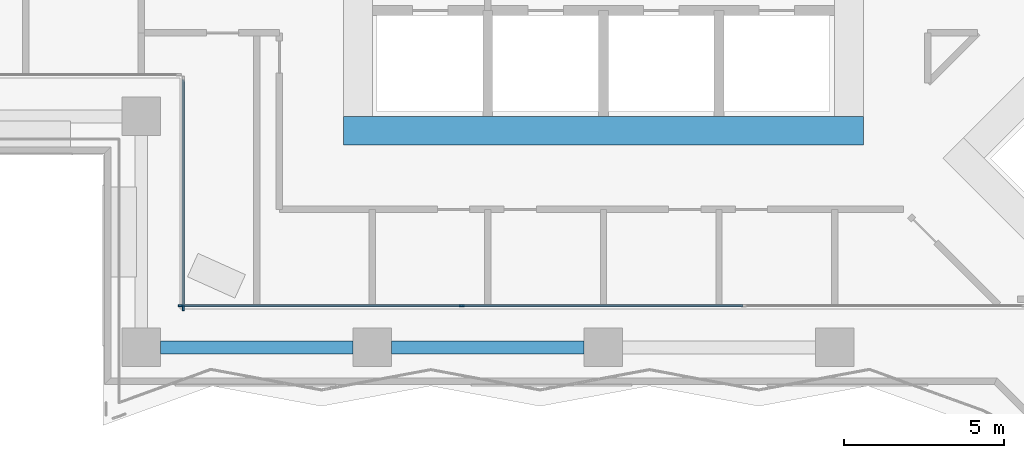
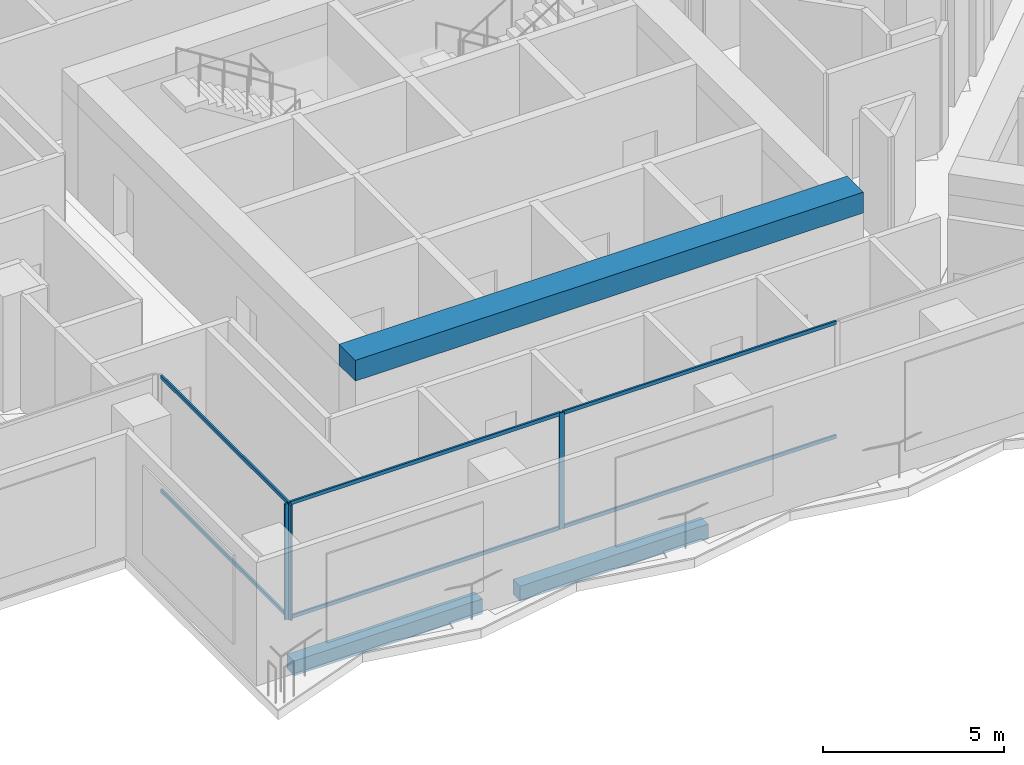
# One storey, part 2 of 24: 9 members, 3 beams, 2 elements without a shape of their own.
"""IFC4 building model written with IfcOpenShell, lengths in metres."""

from ifc_helpers import new_model, si_unit, direction, frame, origin, origin_2d, place, context, subcontext, project, spatial, rectangle, extrude, material, material_profile, profile_set, type_object, element, aggregate, save


model = new_model("IFC4")

# Units and contexts
model_context = context("Model", 3, precision=1e-05, world=origin(), true_north=direction((0.0, 1.0)))
body_context = subcontext(model_context, "Body", "Model", "MODEL_VIEW")
ifc_project = project(units=[si_unit("LENGTHUNIT", "METRE"), si_unit("AREAUNIT", "SQUARE_METRE"), si_unit("VOLUMEUNIT", "CUBIC_METRE"), si_unit("PLANEANGLEUNIT", "RADIAN"), si_unit("MASSUNIT", "GRAM", prefix="KILO")], contexts=[model_context])

# Site, building, storey
site_placement = place(None, origin())
site = spatial("IfcSite", under=ifc_project, at=site_placement, CompositionType="ELEMENT")
building_placement = place(site_placement, origin())
building = spatial("IfcBuilding", under=site, at=building_placement, Name="Windrow Commons", CompositionType="ELEMENT")
storey_placement = place(building_placement, frame((0.0, 0.0, 67.8)))
storey = spatial("IfcBuildingStorey", under=building, at=storey_placement, Name="L18", CompositionType="ELEMENT", Elevation=67.8)

# Curtain wall, member
ifc_material_1 = material(Name="Clear laminated glass in Aluminium 6063-T6 anodised frame", Category="aluminium")
curtain_wall_type = type_object("IfcCurtainWallType", Name="Curtain wall CW2 sky lounge", PredefinedType="USERDEFINED", material=ifc_material_1)
placement = place(storey_placement, origin())
curtain_wall_1 = element("IfcCurtainWall", 1, at=placement, inside=storey, type_object=curtain_wall_type, Name="Curtain wall CW2 L18 11", ObjectType="UNITISED", PredefinedType="USERDEFINED")
ifc_material_2 = material(Name="Aluminium 6063-T6", Category="aluminium")
ifc_material_profile_1 = material_profile(ifc_material_2, rectangle(XDim=0.06, YDim=0.16, at=origin_2d()))
ifc_profile_set_1 = profile_set([ifc_material_profile_1], Name="Aluminium 6063-T6")
member_type_1 = type_object("IfcMemberType", Name="CW2 mullion 60x160", PredefinedType="MULLION", material=ifc_profile_set_1)
member_1_placement = place(storey_placement, frame((51.7, 44.43, 0.0), z_axis=(0.0, 0.0, 1.0), x_axis=(1.0, 0.0, 0.0)))
member_1 = element("IfcMember", 2, at=member_1_placement, type_object=member_type_1, Name="CW2 mullion 2", PredefinedType="MULLION", context=body_context, shape_type="SweptSolid", body=[
    extrude(rectangle(XDim=0.06, YDim=0.16, at=origin_2d()), origin(), (0.0, 0.0, 1.0), 3.9),
])

# Curtain wall, members
curtain_wall_2 = element("IfcCurtainWall", 3, at=placement, inside=storey, type_object=curtain_wall_type, Name="Curtain wall CW2 L18 12", ObjectType="UNITISED", PredefinedType="USERDEFINED")
member_2_placement = place(storey_placement, frame((51.63, 44.5, 0.0), z_axis=(0.0, 0.0, 1.0), x_axis=(0.0, 1.0, 0.0)))
member_2 = element("IfcMember", 4, at=member_2_placement, type_object=member_type_1, Name="CW2 mullion 1", PredefinedType="MULLION", context=body_context, shape_type="SweptSolid", body=[
    extrude(rectangle(XDim=0.06, YDim=0.16, at=origin_2d()), origin(), (0.0, 0.0, 1.0), 3.9),
])
member_3_placement = place(storey_placement, frame((60.3833, 44.5, 0.0), z_axis=(0.0, 0.0, 1.0), x_axis=(0.0, 1.0, 0.0)))
member_3 = element("IfcMember", 5, at=member_3_placement, type_object=member_type_1, Name="CW2 mullion 2", PredefinedType="MULLION", context=body_context, shape_type="SweptSolid", body=[
    extrude(rectangle(XDim=0.06, YDim=0.16, at=origin_2d()), origin(), (0.0, 0.0, 1.0), 3.9),
])

# Member
ifc_material_3 = material(Name="Aluminium 6063-T6", Category="aluminium")
ifc_material_profile_2 = material_profile(ifc_material_3, rectangle(XDim=0.06, YDim=0.12, at=origin_2d()))
ifc_profile_set_2 = profile_set([ifc_material_profile_2], Name="Aluminium 6063-T6")
member_type_2 = type_object("IfcMemberType", Name="CW2 transom 60x120", PredefinedType="USERDEFINED", material=ifc_profile_set_2)
member_4_placement = place(storey_placement, frame((51.7, 51.54, 0.03), z_axis=(0.0, -1.0, 0.0), x_axis=(1.0, 0.0, 0.0)))
member_4 = element("IfcMember", 6, at=member_4_placement, type_object=member_type_2, Name="CW2 transom 1.1", ObjectType="TRANSOM", PredefinedType="USERDEFINED", context=body_context, shape_type="SweptSolid", body=[
    extrude(rectangle(XDim=0.06, YDim=0.12, at=origin_2d()), origin(), (0.0, 0.0, 1.0), 7.08),
])

member_5_placement = place(storey_placement, frame((51.7, 51.54, 3.87), z_axis=(0.0, -1.0, 0.0), x_axis=(1.0, 0.0, 0.0)))
member_5 = element("IfcMember", 7, at=member_5_placement, type_object=member_type_2, Name="CW2 transom 1.2", ObjectType="TRANSOM", PredefinedType="USERDEFINED", context=body_context, shape_type="SweptSolid", body=[
    extrude(rectangle(XDim=0.06, YDim=0.12, at=origin_2d()), origin(), (0.0, 0.0, 1.0), 7.08),
])

aggregate(curtain_wall_1, [member_1, member_4, member_5])

member_6_placement = place(storey_placement, frame((51.66, 44.5, 0.03), z_axis=(1.0, 0.0, 0.0), x_axis=(0.0, 1.0, 0.0)))
member_6 = element("IfcMember", 8, at=member_6_placement, type_object=member_type_2, Name="CW2 transom 1.1", ObjectType="TRANSOM", PredefinedType="USERDEFINED", context=body_context, shape_type="SweptSolid", body=[
    extrude(rectangle(XDim=0.06, YDim=0.12, at=origin_2d()), origin(), (0.0, 0.0, 1.0), 8.6933),
])

member_7_placement = place(storey_placement, frame((51.66, 44.5, 3.87), z_axis=(1.0, 0.0, 0.0), x_axis=(0.0, 1.0, 0.0)))
member_7 = element("IfcMember", 9, at=member_7_placement, type_object=member_type_2, Name="CW2 transom 1.2", ObjectType="TRANSOM", PredefinedType="USERDEFINED", context=body_context, shape_type="SweptSolid", body=[
    extrude(rectangle(XDim=0.06, YDim=0.12, at=origin_2d()), origin(), (0.0, 0.0, 1.0), 8.6933),
])

member_8_placement = place(storey_placement, frame((60.4133, 44.5, 0.03), z_axis=(1.0, 0.0, 0.0), x_axis=(0.0, 1.0, 0.0)))
member_8 = element("IfcMember", 10, at=member_8_placement, type_object=member_type_2, Name="CW2 transom 2.1", ObjectType="TRANSOM", PredefinedType="USERDEFINED", context=body_context, shape_type="SweptSolid", body=[
    extrude(rectangle(XDim=0.06, YDim=0.12, at=origin_2d()), origin(), (0.0, 0.0, 1.0), 8.7234),
])

member_9_placement = place(storey_placement, frame((60.4133, 44.5, 3.87), z_axis=(1.0, 0.0, 0.0), x_axis=(0.0, 1.0, 0.0)))
member_9 = element("IfcMember", 11, at=member_9_placement, type_object=member_type_2, Name="CW2 transom 2.2", ObjectType="TRANSOM", PredefinedType="USERDEFINED", context=body_context, shape_type="SweptSolid", body=[
    extrude(rectangle(XDim=0.06, YDim=0.12, at=origin_2d()), origin(), (0.0, 0.0, 1.0), 8.7234),
])

aggregate(curtain_wall_2, [member_2, member_3, member_6, member_7, member_8, member_9])

# Beams
ifc_material_4 = material(Name="Concrete C60/75", Category="concrete")
ifc_material_profile_3 = material_profile(ifc_material_4, rectangle(XDim=0.9, YDim=0.7, at=origin_2d()))
ifc_profile_set_3 = profile_set([ifc_material_profile_3], Name="Concrete C60/75")
beam_type_1 = type_object("IfcBeamType", Name="RC COUPLING BEAM 900x700 C60/75", PredefinedType="LINTEL", material=ifc_profile_set_3)
beam_placement = place(storey_placement, frame((56.7, 49.95, 3.55), z_axis=(1.0, 0.0, 0.0), x_axis=(0.0, 1.0, 0.0)))
element("IfcBeam", 12, at=beam_placement, inside=storey, type_object=beam_type_1, Name="Core A coupling beam outer-S", PredefinedType="LINTEL", context=body_context, shape_type="SweptSolid", body=[
    extrude(rectangle(XDim=0.9, YDim=0.7, at=origin_2d()), origin(), (0.0, 0.0, 1.0), 16.2),
])
ifc_material_5 = material(Name="Concrete C60/75", Category="concrete")
ifc_material_profile_4 = material_profile(ifc_material_5, rectangle(XDim=0.4, YDim=0.5, at=origin_2d()))
ifc_profile_set_4 = profile_set([ifc_material_profile_4], Name="Concrete C60/75")
beam_type_2 = type_object("IfcBeamType", Name="RC EDGE BEAM 400x500 C60/75", PredefinedType="SPANDREL", material=ifc_profile_set_4)
for number, where, z_axis, x_axis, name in (
    (13, (64.2, 43.2, -0.55), (-1.0, 0.0, 0.0), (0.0, -1.0, 0.0), "Edge beam L18 026"),
    (14, (57.0, 43.2, -0.55), (-1.0, 0.0, 0.0), (0.0, -1.0, 0.0), "Edge beam L18 027"),
):
    element("IfcBeam", number, at=place(storey_placement, frame(where, z_axis=z_axis, x_axis=x_axis)), inside=storey, type_object=beam_type_2, Name=name, PredefinedType="SPANDREL", context=body_context, shape_type="SweptSolid", body=[
        extrude(rectangle(XDim=0.4, YDim=0.5, at=origin_2d()), origin(), (0.0, 0.0, 1.0), 6.0),
    ])

save(model, "model.ifc")
